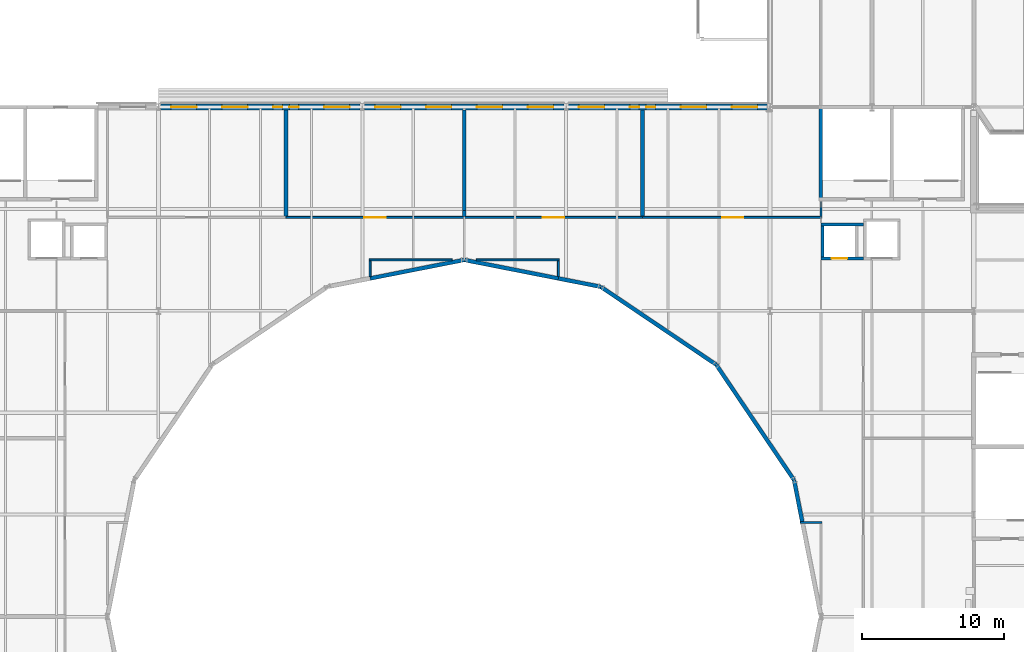
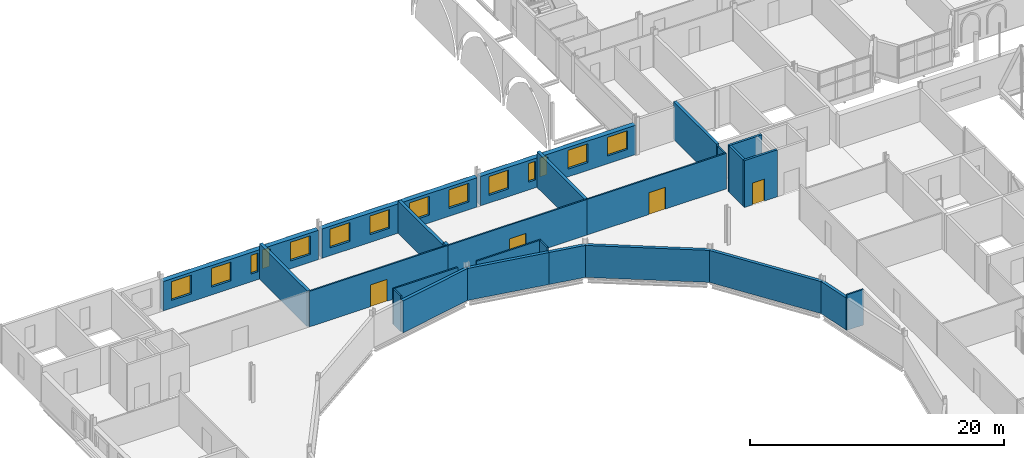
# One storey, part 95 of 142: 26 walls, 14 windows, 4 doors, 18 openings.
"""IFC4 building model written with IfcOpenShell, lengths in metres."""

from ifc_helpers import new_model, si_unit, direction, frame, frame_2d, origin, place, context, subcontext, project, spatial, rectangle, extrude, material, layer, layer_set, type_object, element, fill, save


model = new_model("IFC4")

# Units and contexts
model_context = context("Model", 3, precision=1e-05, world=origin(), true_north=direction((0.0, 1.0)))
body_context = subcontext(model_context, "Body", "Model", "MODEL_VIEW")
ifc_project = project(units=[si_unit("LENGTHUNIT", "METRE"), si_unit("AREAUNIT", "SQUARE_METRE"), si_unit("VOLUMEUNIT", "CUBIC_METRE"), si_unit("PLANEANGLEUNIT", "RADIAN"), si_unit("MASSUNIT", "GRAM", prefix="KILO")], contexts=[model_context])

# Site, building, storey
site_placement = place(None, origin())
site = spatial("IfcSite", under=ifc_project, at=site_placement, CompositionType="ELEMENT")
building_placement = place(site_placement, origin())
building = spatial("IfcBuilding", under=site, at=building_placement, Name="Kupolbacken Congress Centre", CompositionType="ELEMENT")
storey_placement = place(building_placement, frame((0.0, 0.0, 14.39990234375)))
storey = spatial("IfcBuildingStorey", under=building, at=storey_placement, Name="L04", CompositionType="ELEMENT", Elevation=14.39990234375)

# Wall, openings, windows
ifc_material_1 = material(Name="Limestone", Category="masonry")
ifc_layer_1 = layer(ifc_material_1, 0.1201171875)
ifc_material_2 = material(Name="Air cavity", Category="air")
ifc_layer_2 = layer(ifc_material_2, 0.0400390625, ventilated=True)
ifc_material_3 = material(Name="Mineral wool", Category="insulation")
ifc_layer_3 = layer(ifc_material_3, 0.159912109375)
ifc_material_4 = material(Name="Concrete block", Category="masonry")
ifc_layer_4 = layer(ifc_material_4, 0.1201171875)
ifc_layer_set_1 = layer_set([ifc_layer_1, ifc_layer_2, ifc_layer_3, ifc_layer_4], Name="Limestone / Mineral wool / Concrete block")
wall_type_1 = type_object("IfcWallType", Name="EW05 external cavity wall 440", PredefinedType="SOLIDWALL", material=ifc_layer_set_1)
wall_1_placement = place(storey_placement, frame((64.64990234375, 122.39990234375, 0.0), z_axis=(0.0, 0.0, 1.0), x_axis=(-1.0, 0.0, 0.0)))
wall_1 = element("IfcWall", 1, at=wall_1_placement, inside=storey, type_object=wall_type_1, Name="E/P/N/L04/443", PredefinedType="SOLIDWALL", context=body_context, shape_type="SweptSolid", body=[
    extrude(rectangle(XDim=14.099853515625, YDim=0.43994140625, at=frame_2d((7.0498046875, 0.0))), origin(), (0.0, 0.0, 1.0), 2.820068359375),
])
opening_1_placement = place(wall_1_placement, frame((11.550048828125, 0.0, 0.75)))
opening_1 = element("IfcOpeningElement", 2, at=opening_1_placement, cuts=wall_1, Name="Opening W7", PredefinedType="OPENING", context=body_context, shape_type="SweptSolid", body=[
    extrude(rectangle(XDim=1.800048828125, YDim=1.800048828125, at=frame_2d((0.89990234375, 0.89990234375))), frame((0.0, 0.22998046875, 0.0), z_axis=(0.0, -1.0, 0.0), x_axis=(1.0, 0.0, 0.0)), (0.0, 0.0, 1.0), 0.4599609375),
])
opening_2_placement = place(wall_1_placement, frame((7.949951171875, 0.0, 0.75)))
opening_2 = element("IfcOpeningElement", 3, at=opening_2_placement, cuts=wall_1, Name="Opening W33", PredefinedType="OPENING", context=body_context, shape_type="SweptSolid", body=[
    extrude(rectangle(XDim=0.64990234375, YDim=1.800048828125, at=frame_2d((0.324951171875, 0.89990234375))), frame((0.0, 0.22998046875, 0.0), z_axis=(0.0, -1.0, 0.0), x_axis=(1.0, 0.0, 0.0)), (0.0, 0.0, 1.0), 0.4599609375),
])
opening_3_placement = place(wall_1_placement, frame((9.10009765625, 0.0, 0.75)))
opening_3 = element("IfcOpeningElement", 4, at=opening_3_placement, cuts=wall_1, Name="Opening W33", PredefinedType="OPENING", context=body_context, shape_type="SweptSolid", body=[
    extrude(rectangle(XDim=0.64990234375, YDim=1.800048828125, at=frame_2d((0.324951171875, 0.89990234375))), frame((0.0, 0.22998046875, 0.0), z_axis=(0.0, -1.0, 0.0), x_axis=(1.0, 0.0, 0.0)), (0.0, 0.0, 1.0), 0.4599609375),
])
opening_4_placement = place(wall_1_placement, frame((4.35009765625, 0.0, 0.75)))
opening_4 = element("IfcOpeningElement", 5, at=opening_4_placement, cuts=wall_1, Name="Opening W7", PredefinedType="OPENING", context=body_context, shape_type="SweptSolid", body=[
    extrude(rectangle(XDim=1.800048828125, YDim=1.800048828125, at=frame_2d((0.89990234375, 0.89990234375))), frame((0.0, 0.22998046875, 0.0), z_axis=(0.0, -1.0, 0.0), x_axis=(1.0, 0.0, 0.0)), (0.0, 0.0, 1.0), 0.4599609375),
])
opening_5_placement = place(wall_1_placement, frame((0.75, 0.0, 0.75)))
opening_5 = element("IfcOpeningElement", 6, at=opening_5_placement, cuts=wall_1, Name="Opening W7", PredefinedType="OPENING", context=body_context, shape_type="SweptSolid", body=[
    extrude(rectangle(XDim=1.800048828125, YDim=1.800048828125, at=frame_2d((0.89990234375, 0.89990234375))), frame((0.0, 0.22998046875, 0.0), z_axis=(0.0, -1.0, 0.0), x_axis=(1.0, 0.0, 0.0)), (0.0, 0.0, 1.0), 0.4599609375),
])
ifc_material_5 = material(Name="Aluminium frame with double or triple glazing", Category="aluminium")
window_type_1 = type_object("IfcWindowType", Name="W33 window 650x1800", PartitioningType="SINGLE_PANEL", PredefinedType="WINDOW", material=ifc_material_5)
window_1_placement = place(opening_2_placement, origin())
window_1 = element("IfcWindow", 7, at=window_1_placement, inside=storey, type_object=window_type_1, Name="E/P/N/L04/443/W2", OverallHeight=1.800048828125, OverallWidth=0.64990234375, PartitioningType="SINGLE_PANEL", PredefinedType="WINDOW", context=body_context, shape_type="SweptSolid", body=[
    extrude(rectangle(XDim=0.64990234375, YDim=1.800048828125, at=frame_2d((0.324951171875, 0.89990234375))), frame((0.0, 0.030029296875, 0.0), z_axis=(0.0, -1.0, 0.0), x_axis=(1.0, 0.0, 0.0)), (0.0, 0.0, 1.0), 0.06005859375),
])
fill(opening_2, window_1)
window_2_placement = place(opening_3_placement, origin())
window_2 = element("IfcWindow", 8, at=window_2_placement, inside=storey, type_object=window_type_1, Name="E/P/N/L04/443/W3", OverallHeight=1.800048828125, OverallWidth=0.64990234375, PartitioningType="SINGLE_PANEL", PredefinedType="WINDOW", context=body_context, shape_type="SweptSolid", body=[
    extrude(rectangle(XDim=0.64990234375, YDim=1.800048828125, at=frame_2d((0.324951171875, 0.89990234375))), frame((0.0, 0.030029296875, 0.0), z_axis=(0.0, -1.0, 0.0), x_axis=(1.0, 0.0, 0.0)), (0.0, 0.0, 1.0), 0.06005859375),
])
fill(opening_3, window_2)
ifc_material_6 = material(Name="Aluminium frame with double or triple glazing", Category="aluminium")
window_type_2 = type_object("IfcWindowType", Name="W7 window 1800x1800", PartitioningType="DOUBLE_PANEL_VERTICAL", PredefinedType="WINDOW", material=ifc_material_6)
window_3_placement = place(opening_1_placement, origin())
window_3 = element("IfcWindow", 9, at=window_3_placement, inside=storey, type_object=window_type_2, Name="E/P/N/L04/443/W1", OverallHeight=1.800048828125, OverallWidth=1.800048828125, PartitioningType="SINGLE_PANEL", PredefinedType="WINDOW", context=body_context, shape_type="SweptSolid", body=[
    extrude(rectangle(XDim=1.800048828125, YDim=1.800048828125, at=frame_2d((0.89990234375, 0.89990234375))), frame((0.0, 0.030029296875, 0.0), z_axis=(0.0, -1.0, 0.0), x_axis=(1.0, 0.0, 0.0)), (0.0, 0.0, 1.0), 0.06005859375),
])
fill(opening_1, window_3)
window_4_placement = place(opening_4_placement, origin())
window_4 = element("IfcWindow", 10, at=window_4_placement, inside=storey, type_object=window_type_2, Name="E/P/N/L04/443/W4", OverallHeight=1.800048828125, OverallWidth=1.800048828125, PartitioningType="SINGLE_PANEL", PredefinedType="WINDOW", context=body_context, shape_type="SweptSolid", body=[
    extrude(rectangle(XDim=1.800048828125, YDim=1.800048828125, at=frame_2d((0.89990234375, 0.89990234375))), frame((0.0, 0.030029296875, 0.0), z_axis=(0.0, -1.0, 0.0), x_axis=(1.0, 0.0, 0.0)), (0.0, 0.0, 1.0), 0.06005859375),
])
fill(opening_4, window_4)
window_5_placement = place(opening_5_placement, origin())
window_5 = element("IfcWindow", 11, at=window_5_placement, inside=storey, type_object=window_type_2, Name="E/P/N/L04/443/W5", OverallHeight=1.800048828125, OverallWidth=1.800048828125, PartitioningType="SINGLE_PANEL", PredefinedType="WINDOW", context=body_context, shape_type="SweptSolid", body=[
    extrude(rectangle(XDim=1.800048828125, YDim=1.800048828125, at=frame_2d((0.89990234375, 0.89990234375))), frame((0.0, 0.030029296875, 0.0), z_axis=(0.0, -1.0, 0.0), x_axis=(1.0, 0.0, 0.0)), (0.0, 0.0, 1.0), 0.06005859375),
])
fill(opening_5, window_5)

wall_2_placement = place(storey_placement, frame((50.25, 122.39990234375, 0.0), z_axis=(0.0, 0.0, 1.0), x_axis=(-1.0, 0.0, 0.0)))
wall_2 = element("IfcWall", 12, at=wall_2_placement, inside=storey, type_object=wall_type_1, Name="E/P/N/L04/444", PredefinedType="SOLIDWALL", context=body_context, shape_type="SweptSolid", body=[
    extrude(rectangle(XDim=14.10009765625, YDim=0.43994140625, at=frame_2d((7.050048828125, 0.0))), origin(), (0.0, 0.0, 1.0), 2.820068359375),
])
opening_6_placement = place(wall_2_placement, frame((11.550048828125, 0.0, 0.75)))
opening_6 = element("IfcOpeningElement", 13, at=opening_6_placement, cuts=wall_2, Name="Opening W7", PredefinedType="OPENING", context=body_context, shape_type="SweptSolid", body=[
    extrude(rectangle(XDim=1.800048828125, YDim=1.800048828125, at=frame_2d((0.89990234375, 0.89990234375))), frame((0.0, 0.22998046875, 0.0), z_axis=(0.0, -1.0, 0.0), x_axis=(1.0, 0.0, 0.0)), (0.0, 0.0, 1.0), 0.4599609375),
])
opening_7_placement = place(wall_2_placement, frame((7.949951171875, 0.0, 0.75)))
opening_7 = element("IfcOpeningElement", 14, at=opening_7_placement, cuts=wall_2, Name="Opening W7", PredefinedType="OPENING", context=body_context, shape_type="SweptSolid", body=[
    extrude(rectangle(XDim=1.800048828125, YDim=1.800048828125, at=frame_2d((0.89990234375, 0.89990234375))), frame((0.0, 0.22998046875, 0.0), z_axis=(0.0, -1.0, 0.0), x_axis=(1.0, 0.0, 0.0)), (0.0, 0.0, 1.0), 0.4599609375),
])
opening_8_placement = place(wall_2_placement, frame((4.35009765625, 0.0, 0.75)))
opening_8 = element("IfcOpeningElement", 15, at=opening_8_placement, cuts=wall_2, Name="Opening W7", PredefinedType="OPENING", context=body_context, shape_type="SweptSolid", body=[
    extrude(rectangle(XDim=1.800048828125, YDim=1.800048828125, at=frame_2d((0.89990234375, 0.89990234375))), frame((0.0, 0.22998046875, 0.0), z_axis=(0.0, -1.0, 0.0), x_axis=(1.0, 0.0, 0.0)), (0.0, 0.0, 1.0), 0.4599609375),
])
opening_9_placement = place(wall_2_placement, frame((0.75, 0.0, 0.75)))
opening_9 = element("IfcOpeningElement", 16, at=opening_9_placement, cuts=wall_2, Name="Opening W7", PredefinedType="OPENING", context=body_context, shape_type="SweptSolid", body=[
    extrude(rectangle(XDim=1.800048828125, YDim=1.800048828125, at=frame_2d((0.89990234375, 0.89990234375))), frame((0.0, 0.22998046875, 0.0), z_axis=(0.0, -1.0, 0.0), x_axis=(1.0, 0.0, 0.0)), (0.0, 0.0, 1.0), 0.4599609375),
])
window_6_placement = place(opening_6_placement, origin())
window_6 = element("IfcWindow", 17, at=window_6_placement, inside=storey, type_object=window_type_2, Name="E/P/N/L04/444/W1", OverallHeight=1.800048828125, OverallWidth=1.800048828125, PartitioningType="SINGLE_PANEL", PredefinedType="WINDOW", context=body_context, shape_type="SweptSolid", body=[
    extrude(rectangle(XDim=1.800048828125, YDim=1.800048828125, at=frame_2d((0.89990234375, 0.89990234375))), frame((0.0, 0.030029296875, 0.0), z_axis=(0.0, -1.0, 0.0), x_axis=(1.0, 0.0, 0.0)), (0.0, 0.0, 1.0), 0.06005859375),
])
fill(opening_6, window_6)
window_7_placement = place(opening_7_placement, origin())
window_7 = element("IfcWindow", 18, at=window_7_placement, inside=storey, type_object=window_type_2, Name="E/P/N/L04/444/W2", OverallHeight=1.800048828125, OverallWidth=1.800048828125, PartitioningType="SINGLE_PANEL", PredefinedType="WINDOW", context=body_context, shape_type="SweptSolid", body=[
    extrude(rectangle(XDim=1.800048828125, YDim=1.800048828125, at=frame_2d((0.89990234375, 0.89990234375))), frame((0.0, 0.030029296875, 0.0), z_axis=(0.0, -1.0, 0.0), x_axis=(1.0, 0.0, 0.0)), (0.0, 0.0, 1.0), 0.06005859375),
])
fill(opening_7, window_7)
window_8_placement = place(opening_8_placement, origin())
window_8 = element("IfcWindow", 19, at=window_8_placement, inside=storey, type_object=window_type_2, Name="E/P/N/L04/444/W3", OverallHeight=1.800048828125, OverallWidth=1.800048828125, PartitioningType="SINGLE_PANEL", PredefinedType="WINDOW", context=body_context, shape_type="SweptSolid", body=[
    extrude(rectangle(XDim=1.800048828125, YDim=1.800048828125, at=frame_2d((0.89990234375, 0.89990234375))), frame((0.0, 0.030029296875, 0.0), z_axis=(0.0, -1.0, 0.0), x_axis=(1.0, 0.0, 0.0)), (0.0, 0.0, 1.0), 0.06005859375),
])
fill(opening_8, window_8)
window_9_placement = place(opening_9_placement, origin())
window_9 = element("IfcWindow", 20, at=window_9_placement, inside=storey, type_object=window_type_2, Name="E/P/N/L04/444/W4", OverallHeight=1.800048828125, OverallWidth=1.800048828125, PartitioningType="SINGLE_PANEL", PredefinedType="WINDOW", context=body_context, shape_type="SweptSolid", body=[
    extrude(rectangle(XDim=1.800048828125, YDim=1.800048828125, at=frame_2d((0.89990234375, 0.89990234375))), frame((0.0, 0.030029296875, 0.0), z_axis=(0.0, -1.0, 0.0), x_axis=(1.0, 0.0, 0.0)), (0.0, 0.0, 1.0), 0.06005859375),
])
fill(opening_9, window_9)

wall_3_placement = place(storey_placement, frame((35.85009765625, 122.39990234375, 0.0), z_axis=(0.0, 0.0, 1.0), x_axis=(-1.0, 0.0, 0.0)))
wall_3 = element("IfcWall", 21, at=wall_3_placement, inside=storey, type_object=wall_type_1, Name="E/P/N/L04/445", PredefinedType="SOLIDWALL", context=body_context, shape_type="SweptSolid", body=[
    extrude(rectangle(XDim=14.10009765625, YDim=0.43994140625, at=frame_2d((7.050048828125, 0.0))), origin(), (0.0, 0.0, 1.0), 2.820068359375),
])
opening_10_placement = place(wall_3_placement, frame((11.550048828125, 0.0, 0.75)))
opening_10 = element("IfcOpeningElement", 22, at=opening_10_placement, cuts=wall_3, Name="Opening W7", PredefinedType="OPENING", context=body_context, shape_type="SweptSolid", body=[
    extrude(rectangle(XDim=1.800048828125, YDim=1.800048828125, at=frame_2d((0.89990234375, 0.89990234375))), frame((0.0, 0.22998046875, 0.0), z_axis=(0.0, -1.0, 0.0), x_axis=(1.0, 0.0, 0.0)), (0.0, 0.0, 1.0), 0.4599609375),
])
opening_11_placement = place(wall_3_placement, frame((7.949951171875, 0.0, 0.75)))
opening_11 = element("IfcOpeningElement", 23, at=opening_11_placement, cuts=wall_3, Name="Opening W7", PredefinedType="OPENING", context=body_context, shape_type="SweptSolid", body=[
    extrude(rectangle(XDim=1.800048828125, YDim=1.800048828125, at=frame_2d((0.89990234375, 0.89990234375))), frame((0.0, 0.22998046875, 0.0), z_axis=(0.0, -1.0, 0.0), x_axis=(1.0, 0.0, 0.0)), (0.0, 0.0, 1.0), 0.4599609375),
])
opening_12_placement = place(wall_3_placement, frame((4.35009765625, 0.0, 0.75)))
opening_12 = element("IfcOpeningElement", 24, at=opening_12_placement, cuts=wall_3, Name="Opening W33", PredefinedType="OPENING", context=body_context, shape_type="SweptSolid", body=[
    extrude(rectangle(XDim=0.64990234375, YDim=1.800048828125, at=frame_2d((0.324951171875, 0.89990234375))), frame((0.0, 0.22998046875, 0.0), z_axis=(0.0, -1.0, 0.0), x_axis=(1.0, 0.0, 0.0)), (0.0, 0.0, 1.0), 0.4599609375),
])
opening_13_placement = place(wall_3_placement, frame((5.5, 0.0, 0.75)))
opening_13 = element("IfcOpeningElement", 25, at=opening_13_placement, cuts=wall_3, Name="Opening W33", PredefinedType="OPENING", context=body_context, shape_type="SweptSolid", body=[
    extrude(rectangle(XDim=0.64990234375, YDim=1.800048828125, at=frame_2d((0.324951171875, 0.89990234375))), frame((0.0, 0.22998046875, 0.0), z_axis=(0.0, -1.0, 0.0), x_axis=(1.0, 0.0, 0.0)), (0.0, 0.0, 1.0), 0.4599609375),
])
opening_14_placement = place(wall_3_placement, frame((0.75, 0.0, 0.75)))
opening_14 = element("IfcOpeningElement", 26, at=opening_14_placement, cuts=wall_3, Name="Opening W7", PredefinedType="OPENING", context=body_context, shape_type="SweptSolid", body=[
    extrude(rectangle(XDim=1.800048828125, YDim=1.800048828125, at=frame_2d((0.89990234375, 0.89990234375))), frame((0.0, 0.22998046875, 0.0), z_axis=(0.0, -1.0, 0.0), x_axis=(1.0, 0.0, 0.0)), (0.0, 0.0, 1.0), 0.4599609375),
])
window_10_placement = place(opening_12_placement, origin())
window_10 = element("IfcWindow", 27, at=window_10_placement, inside=storey, type_object=window_type_1, Name="E/P/N/L04/445/W3", OverallHeight=1.800048828125, OverallWidth=0.64990234375, PartitioningType="SINGLE_PANEL", PredefinedType="WINDOW", context=body_context, shape_type="SweptSolid", body=[
    extrude(rectangle(XDim=0.64990234375, YDim=1.800048828125, at=frame_2d((0.324951171875, 0.89990234375))), frame((0.0, 0.030029296875, 0.0), z_axis=(0.0, -1.0, 0.0), x_axis=(1.0, 0.0, 0.0)), (0.0, 0.0, 1.0), 0.06005859375),
])
fill(opening_12, window_10)
window_11_placement = place(opening_13_placement, origin())
window_11 = element("IfcWindow", 28, at=window_11_placement, inside=storey, type_object=window_type_1, Name="E/P/N/L04/445/W4", OverallHeight=1.800048828125, OverallWidth=0.64990234375, PartitioningType="SINGLE_PANEL", PredefinedType="WINDOW", context=body_context, shape_type="SweptSolid", body=[
    extrude(rectangle(XDim=0.64990234375, YDim=1.800048828125, at=frame_2d((0.324951171875, 0.89990234375))), frame((0.0, 0.030029296875, 0.0), z_axis=(0.0, -1.0, 0.0), x_axis=(1.0, 0.0, 0.0)), (0.0, 0.0, 1.0), 0.06005859375),
])
fill(opening_13, window_11)
window_12_placement = place(opening_10_placement, origin())
window_12 = element("IfcWindow", 29, at=window_12_placement, inside=storey, type_object=window_type_2, Name="E/P/N/L04/445/W1", OverallHeight=1.800048828125, OverallWidth=1.800048828125, PartitioningType="SINGLE_PANEL", PredefinedType="WINDOW", context=body_context, shape_type="SweptSolid", body=[
    extrude(rectangle(XDim=1.800048828125, YDim=1.800048828125, at=frame_2d((0.89990234375, 0.89990234375))), frame((0.0, 0.030029296875, 0.0), z_axis=(0.0, -1.0, 0.0), x_axis=(1.0, 0.0, 0.0)), (0.0, 0.0, 1.0), 0.06005859375),
])
fill(opening_10, window_12)
window_13_placement = place(opening_11_placement, origin())
window_13 = element("IfcWindow", 30, at=window_13_placement, inside=storey, type_object=window_type_2, Name="E/P/N/L04/445/W2", OverallHeight=1.800048828125, OverallWidth=1.800048828125, PartitioningType="SINGLE_PANEL", PredefinedType="WINDOW", context=body_context, shape_type="SweptSolid", body=[
    extrude(rectangle(XDim=1.800048828125, YDim=1.800048828125, at=frame_2d((0.89990234375, 0.89990234375))), frame((0.0, 0.030029296875, 0.0), z_axis=(0.0, -1.0, 0.0), x_axis=(1.0, 0.0, 0.0)), (0.0, 0.0, 1.0), 0.06005859375),
])
fill(opening_11, window_13)
window_14_placement = place(opening_14_placement, origin())
window_14 = element("IfcWindow", 31, at=window_14_placement, inside=storey, type_object=window_type_2, Name="E/P/N/L04/445/W5", OverallHeight=1.800048828125, OverallWidth=1.800048828125, PartitioningType="SINGLE_PANEL", PredefinedType="WINDOW", context=body_context, shape_type="SweptSolid", body=[
    extrude(rectangle(XDim=1.800048828125, YDim=1.800048828125, at=frame_2d((0.89990234375, 0.89990234375))), frame((0.0, 0.030029296875, 0.0), z_axis=(0.0, -1.0, 0.0), x_axis=(1.0, 0.0, 0.0)), (0.0, 0.0, 1.0), 0.06005859375),
])
fill(opening_14, window_14)

# Wall
ifc_material_7 = material(Name="Gypsum board", Category="drywall")
ifc_layer_5 = layer(ifc_material_7, 0.135009765625)
ifc_layer_set_2 = layer_set([ifc_layer_5], Name="Gypsum board")
wall_type_2 = type_object("IfcWallType", Name="P06 compartment wall 135", PredefinedType="PARTITIONING", material=ifc_layer_set_2)
wall_4_placement = place(storey_placement, frame((68.39990234375, 114.66748046875, 0.0), z_axis=(0.0, 0.0, 1.0), x_axis=(0.0, 1.0, 0.0)))
element("IfcWall", 32, at=wall_4_placement, inside=storey, type_object=wall_type_2, Name="PD/L04/W007", PredefinedType="PARTITIONING", context=body_context, shape_type="SweptSolid", body=[
    extrude(rectangle(XDim=1.047607421875, YDim=0.135009765625, at=frame_2d((0.52392578125, 0.0))), origin(), (0.0, 0.0, 1.0), 3.420166015625),
])

# Wall, opening, door
wall_5_placement = place(storey_placement, frame((43.199951171875, 114.60009765625, 0.0), z_axis=(0.0, 0.0, 1.0), x_axis=(-1.0, 0.0, 0.0)))
wall_5 = element("IfcWall", 33, at=wall_5_placement, inside=storey, type_object=wall_type_2, Name="PD/L04/W059", PredefinedType="PARTITIONING", context=body_context, shape_type="SweptSolid", body=[
    extrude(rectangle(XDim=12.599853515625, YDim=0.135009765625, at=frame_2d((6.2998046875, 0.0))), origin(), (0.0, 0.0, 1.0), 3.420166015625),
])
opening_15_placement = place(wall_5_placement, frame((5.550048828125, 0.0, 0.0)))
opening_15 = element("IfcOpeningElement", 34, at=opening_15_placement, cuts=wall_5, Name="Opening 4.P14", PredefinedType="OPENING", context=body_context, shape_type="SweptSolid", body=[
    extrude(rectangle(XDim=1.5, YDim=2.10009765625, at=frame_2d((0.75, 1.050048828125))), frame((0.0, 0.077392578125, 0.0), z_axis=(0.0, -1.0, 0.0), x_axis=(1.0, 0.0, 0.0)), (0.0, 0.0, 1.0), 0.155029296875),
])
ifc_material_8 = material(Name="Steel fire door leaf", Category="steel")
door_type_1 = type_object("IfcDoorType", Name="D12 fire door 1500x2100", OperationType="DOUBLE_DOOR_SINGLE_SWING", PredefinedType="DOOR", material=ifc_material_8)
door_1_placement = place(opening_15_placement, origin())
door_1 = element("IfcDoor", 35, at=door_1_placement, inside=storey, type_object=door_type_1, Name="PD/L04/W059/D4P14", OperationType="DOUBLE_DOOR_SINGLE_SWING", OverallHeight=2.10009765625, OverallWidth=1.5, PredefinedType="DOOR", context=body_context, shape_type="SweptSolid", body=[
    extrude(rectangle(XDim=1.5, YDim=2.10009765625, at=frame_2d((0.75, 1.050048828125))), frame((0.0, 0.02490234375, 0.0), z_axis=(0.0, -1.0, 0.0), x_axis=(1.0, 0.0, 0.0)), (0.0, 0.0, 1.0), 0.050048828125),
])
fill(opening_15, door_1)

wall_6_placement = place(storey_placement, frame((55.800048828125, 114.60009765625, 0.0), z_axis=(0.0, 0.0, 1.0), x_axis=(-1.0, 0.0, 0.0)))
wall_6 = element("IfcWall", 36, at=wall_6_placement, inside=storey, type_object=wall_type_2, Name="PD/L04/W061", PredefinedType="PARTITIONING", context=body_context, shape_type="SweptSolid", body=[
    extrude(rectangle(XDim=12.60009765625, YDim=0.135009765625, at=frame_2d((6.300048828125, 0.0))), origin(), (0.0, 0.0, 1.0), 3.420166015625),
])
opening_16_placement = place(wall_6_placement, frame((5.550048828125, 0.0, 0.0)))
opening_16 = element("IfcOpeningElement", 37, at=opening_16_placement, cuts=wall_6, Name="Opening 4.P15", PredefinedType="OPENING", context=body_context, shape_type="SweptSolid", body=[
    extrude(rectangle(XDim=1.5, YDim=2.10009765625, at=frame_2d((0.75, 1.050048828125))), frame((0.0, 0.077392578125, 0.0), z_axis=(0.0, -1.0, 0.0), x_axis=(1.0, 0.0, 0.0)), (0.0, 0.0, 1.0), 0.155029296875),
])
door_2_placement = place(opening_16_placement, origin())
door_2 = element("IfcDoor", 38, at=door_2_placement, inside=storey, type_object=door_type_1, Name="PD/L04/W061/D4P15", OperationType="DOUBLE_DOOR_SINGLE_SWING", OverallHeight=2.10009765625, OverallWidth=1.5, PredefinedType="DOOR", context=body_context, shape_type="SweptSolid", body=[
    extrude(rectangle(XDim=1.5, YDim=2.10009765625, at=frame_2d((0.75, 1.050048828125))), frame((0.0, 0.02490234375, 0.0), z_axis=(0.0, -1.0, 0.0), x_axis=(1.0, 0.0, 0.0)), (0.0, 0.0, 1.0), 0.050048828125),
])
fill(opening_16, door_2)

wall_7_placement = place(storey_placement, frame((68.467529296875, 114.60009765625, 0.0), z_axis=(0.0, 0.0, 1.0), x_axis=(-1.0, 0.0, 0.0)))
wall_7 = element("IfcWall", 39, at=wall_7_placement, inside=storey, type_object=wall_type_2, Name="PD/L04/W062", PredefinedType="PARTITIONING", context=body_context, shape_type="SweptSolid", body=[
    extrude(rectangle(XDim=12.66748046875, YDim=0.135009765625, at=frame_2d((6.333740234375, 0.0))), origin(), (0.0, 0.0, 1.0), 3.420166015625),
])
opening_17_placement = place(wall_7_placement, frame((5.550048828125, 0.0, 0.0)))
opening_17 = element("IfcOpeningElement", 40, at=opening_17_placement, cuts=wall_7, Name="Opening 4.P16", PredefinedType="OPENING", context=body_context, shape_type="SweptSolid", body=[
    extrude(rectangle(XDim=1.5, YDim=2.10009765625, at=frame_2d((0.75, 1.050048828125))), frame((0.0, 0.077392578125, 0.0), z_axis=(0.0, -1.0, 0.0), x_axis=(1.0, 0.0, 0.0)), (0.0, 0.0, 1.0), 0.155029296875),
])
door_3_placement = place(opening_17_placement, origin())
door_3 = element("IfcDoor", 41, at=door_3_placement, inside=storey, type_object=door_type_1, Name="PD/L04/W062/D4P16", OperationType="DOUBLE_DOOR_SINGLE_SWING", OverallHeight=2.10009765625, OverallWidth=1.5, PredefinedType="DOOR", context=body_context, shape_type="SweptSolid", body=[
    extrude(rectangle(XDim=1.5, YDim=2.10009765625, at=frame_2d((0.75, 1.050048828125))), frame((0.0, 0.02490234375, 0.0), z_axis=(0.0, -1.0, 0.0), x_axis=(1.0, 0.0, 0.0)), (0.0, 0.0, 1.0), 0.050048828125),
])
fill(opening_17, door_3)

# Walls
wall_8_placement = place(storey_placement, frame((42.35009765625, 111.60009765625, 0.0), z_axis=(0.0, 0.0, 1.0), x_axis=(-1.0, 0.0, 0.0)))
element("IfcWall", 42, at=wall_8_placement, inside=storey, type_object=wall_type_2, Name="PD/L04/W064", PredefinedType="PARTITIONING", context=body_context, shape_type="SweptSolid", body=[
    extrude(rectangle(XDim=5.86767578125, YDim=0.135009765625, at=frame_2d((2.933837890625, 0.0))), origin(), (0.0, 0.0, 1.0), 3.420166015625),
])
wall_9_placement = place(storey_placement, frame((49.91748046875, 111.60009765625, 0.0), z_axis=(0.0, 0.0, 1.0), x_axis=(-1.0, 0.0, 0.0)))
element("IfcWall", 43, at=wall_9_placement, inside=storey, type_object=wall_type_2, Name="PD/L04/W065", PredefinedType="PARTITIONING", context=body_context, shape_type="SweptSolid", body=[
    extrude(rectangle(XDim=5.867431640625, YDim=0.135009765625, at=frame_2d((2.93359375, 0.0))), origin(), (0.0, 0.0, 1.0), 3.420166015625),
])
wall_10_placement = place(storey_placement, frame((36.550048828125, 111.532470703125, 0.0), z_axis=(0.0, 0.0, 1.0), x_axis=(0.0, -1.0, 0.0)))
element("IfcWall", 44, at=wall_10_placement, inside=storey, type_object=wall_type_2, Name="PD/L04/W084", PredefinedType="PARTITIONING", context=body_context, shape_type="SweptSolid", body=[
    extrude(rectangle(XDim=1.104248046875, YDim=0.135009765625, at=frame_2d((0.55224609375, 0.0))), origin(), (0.0, 0.0, 1.0), 3.420166015625),
])
wall_11_placement = place(storey_placement, frame((68.467529296875, 93.050048828125, 0.0), z_axis=(0.0, 0.0, 1.0), x_axis=(-1.0, 0.0, 0.0)))
element("IfcWall", 45, at=wall_11_placement, inside=storey, type_object=wall_type_2, Name="PD/L04/W092", PredefinedType="PARTITIONING", context=body_context, shape_type="SweptSolid", body=[
    extrude(rectangle(XDim=1.514404296875, YDim=0.135009765625, at=frame_2d((0.75732421875, 0.0))), origin(), (0.0, 0.0, 1.0), 3.420166015625),
])
wall_12_placement = place(storey_placement, frame((49.85009765625, 110.42822265625, 0.0), z_axis=(0.0, 0.0, 1.0), x_axis=(0.0, 1.0, 0.0)))
element("IfcWall", 46, at=wall_12_placement, inside=storey, type_object=wall_type_2, Name="PD/L04/W093", PredefinedType="PARTITIONING", context=body_context, shape_type="SweptSolid", body=[
    extrude(rectangle(XDim=1.104248046875, YDim=0.135009765625, at=frame_2d((0.55224609375, 0.0))), origin(), (0.0, 0.0, 1.0), 3.420166015625),
])
ifc_material_9 = material(Name="Gypsum board", Category="drywall")
ifc_layer_6 = layer(ifc_material_9, 0.27490234375)
ifc_layer_set_3 = layer_set([ifc_layer_6], Name="Gypsum board")
wall_type_3 = type_object("IfcWallType", Name="P12 partition 275", PredefinedType="PARTITIONING", material=ifc_layer_set_3)
wall_13_placement = place(storey_placement, frame((30.60009765625, 122.179931640625, 0.0), z_axis=(0.0, 0.0, 1.0), x_axis=(0.0, -1.0, 0.0)))
element("IfcWall", 47, at=wall_13_placement, inside=storey, type_object=wall_type_3, Name="PD/L04/W056", PredefinedType="PARTITIONING", context=body_context, shape_type="SweptSolid", body=[
    extrude(rectangle(XDim=7.512451171875, YDim=0.27490234375, at=frame_2d((3.75634765625, 0.0))), origin(), (0.0, 0.0, 1.0), 3.420166015625),
])
wall_14_placement = place(storey_placement, frame((43.199951171875, 122.179931640625, 0.0), z_axis=(0.0, 0.0, 1.0), x_axis=(0.0, -1.0, 0.0)))
element("IfcWall", 48, at=wall_14_placement, inside=storey, type_object=wall_type_3, Name="PD/L04/W058", PredefinedType="PARTITIONING", context=body_context, shape_type="SweptSolid", body=[
    extrude(rectangle(XDim=7.08984375, YDim=0.27490234375, at=frame_2d((3.544921875, 0.0))), origin(), (0.0, 0.0, 1.0), 3.1201171875),
])
wall_15_placement = place(storey_placement, frame((55.800048828125, 122.179931640625, 0.0), z_axis=(0.0, 0.0, 1.0), x_axis=(0.0, -1.0, 0.0)))
element("IfcWall", 49, at=wall_15_placement, inside=storey, type_object=wall_type_3, Name="PD/L04/W060", PredefinedType="PARTITIONING", context=body_context, shape_type="SweptSolid", body=[
    extrude(rectangle(XDim=7.512451171875, YDim=0.27490234375, at=frame_2d((3.75634765625, 0.0))), origin(), (0.0, 0.0, 1.0), 3.420166015625),
])
wall_16_placement = place(storey_placement, frame((43.199951171875, 111.60009765625, 0.0), z_axis=(0.0, 0.0, 1.0), x_axis=(-0.981162344826, -0.193185022957, 0.0)))
element("IfcWall", 50, at=wall_16_placement, inside=storey, type_object=wall_type_3, Name="PD/L04/W090", PredefinedType="PARTITIONING", context=body_context, shape_type="SweptSolid", body=[
    extrude(rectangle(XDim=6.777587890625, YDim=0.27490234375, at=frame_2d((3.388671875, 0.0))), origin(), (0.0, 0.0, 1.0), 3.070068359375),
])
wall_17_placement = place(storey_placement, frame((61.0, 104.199951171875, 0.0), z_axis=(0.0, 0.0, 1.0), x_axis=(-0.828904515443, 0.559390118145, 0.0)))
element("IfcWall", 51, at=wall_17_placement, inside=storey, type_object=wall_type_3, Name="PD/L04/W094", PredefinedType="PARTITIONING", context=body_context, shape_type="SweptSolid", body=[
    extrude(rectangle(XDim=9.83203125, YDim=0.27490234375, at=frame_2d((4.916015625, 0.0))), origin(), (0.0, 0.0, 1.0), 3.070068359375),
])
wall_18_placement = place(storey_placement, frame((52.85009765625, 109.699951171875, 0.0), z_axis=(0.0, 0.0, 1.0), x_axis=(-0.981153778086, 0.19322852726, 0.0)))
element("IfcWall", 52, at=wall_18_placement, inside=storey, type_object=wall_type_3, Name="PD/L04/W095", PredefinedType="PARTITIONING", context=body_context, shape_type="SweptSolid", body=[
    extrude(rectangle(XDim=3.0576171875, YDim=0.27490234375, at=frame_2d((1.52880859375, 0.0))), origin(), (0.0, 0.0, 1.0), 3.070068359375),
])
wall_19_placement = place(storey_placement, frame((67.07763671875, 93.1162109375, 0.0), z_axis=(0.0, 0.0, 1.0), x_axis=(-0.193179069745, 0.98116351696, 0.0)))
element("IfcWall", 53, at=wall_19_placement, inside=storey, type_object=wall_type_3, Name="PD/L04/W096", PredefinedType="PARTITIONING", context=body_context, shape_type="SweptSolid", body=[
    extrude(rectangle(XDim=2.990234375, YDim=0.27490234375, at=frame_2d((1.4951171875, 0.0))), origin(), (0.0, 0.0, 1.0), 3.070068359375),
])
wall_20_placement = place(storey_placement, frame((66.5, 96.050048828125, 0.0), z_axis=(0.0, 0.0, 1.0), x_axis=(-0.559390118145, 0.828904515443, 0.0)))
element("IfcWall", 54, at=wall_20_placement, inside=storey, type_object=wall_type_3, Name="PD/L04/W097", PredefinedType="PARTITIONING", context=body_context, shape_type="SweptSolid", body=[
    extrude(rectangle(XDim=9.83203125, YDim=0.27490234375, at=frame_2d((4.916015625, 0.0))), origin(), (0.0, 0.0, 1.0), 3.070068359375),
])
wall_21_placement = place(storey_placement, frame((49.85009765625, 110.290771484375, 0.0), z_axis=(0.0, 0.0, 1.0), x_axis=(-0.981163689106, 0.193178195406, 0.0)))
element("IfcWall", 55, at=wall_21_placement, inside=storey, type_object=wall_type_3, Name="PD/L04/W099", PredefinedType="PARTITIONING", context=body_context, shape_type="SweptSolid", body=[
    extrude(rectangle(XDim=6.77783203125, YDim=0.27490234375, at=frame_2d((3.388916015625, 0.0))), origin(), (0.0, 0.0, 1.0), 3.070068359375),
])
wall_22_placement = place(storey_placement, frame((43.199951171875, 115.090087890625, 0.0), z_axis=(0.0, 0.0, 1.0), x_axis=(0.0, -1.0, 0.0)))
element("IfcWall", 56, at=wall_22_placement, inside=storey, type_object=wall_type_3, Name="PD/L04/W058.h1", PredefinedType="PARTITIONING", context=body_context, shape_type="SweptSolid", body=[
    extrude(rectangle(XDim=0.422607421875, YDim=0.27490234375, at=frame_2d((0.21142578125, 0.0))), origin(), (0.0, 0.0, 1.0), 3.420166015625),
])

# Wall, opening, door
ifc_material_10 = material(Name="Concrete C40/50", Category="concrete")
ifc_layer_7 = layer(ifc_material_10, 0.199951171875)
ifc_layer_set_4 = layer_set([ifc_layer_7], Name="Concrete C40/50")
wall_type_4 = type_object("IfcWallType", Name="WC1 RC shaft wall 200", PredefinedType="SHEAR", material=ifc_layer_set_4)
wall_23_placement = place(storey_placement, frame((68.39990234375, 111.699951171875, 0.0), z_axis=(0.0, 0.0, 1.0), x_axis=(1.0, 0.0, 0.0)))
wall_23 = element("IfcWall", 57, at=wall_23_placement, inside=storey, type_object=wall_type_4, Name="Shaft wall LP8", PredefinedType="SHEAR", context=body_context, shape_type="SweptSolid", body=[
    extrude(rectangle(XDim=3.0, YDim=0.199951171875, at=frame_2d((1.5, 0.0))), origin(), (0.0, 0.0, 1.0), 4.5),
])
opening_18_placement = place(wall_23_placement, frame((0.75, 0.0, 0.0)))
opening_18 = element("IfcOpeningElement", 58, at=opening_18_placement, cuts=wall_23, Name="Opening LD2", PredefinedType="OPENING", context=body_context, shape_type="SweptSolid", body=[
    extrude(rectangle(XDim=1.10009765625, YDim=2.10009765625, at=frame_2d((0.550048828125, 1.050048828125))), frame((0.0, 0.10986328125, 0.0), z_axis=(0.0, -1.0, 0.0), x_axis=(1.0, 0.0, 0.0)), (0.0, 0.0, 1.0), 0.219970703125),
])
ifc_material_11 = material(Name="Stainless steel door leaf", Category="steel")
door_type_2 = type_object("IfcDoorType", Name="LD2 lift landing door 1100x2100", OperationType="SLIDING_TO_LEFT", PredefinedType="DOOR", material=ifc_material_11)
door_4_placement = place(opening_18_placement, origin())
door_4 = element("IfcDoor", 59, at=door_4_placement, inside=storey, type_object=door_type_2, Name="Lift landing door LP8", OperationType="SLIDING_TO_LEFT", OverallHeight=2.10009765625, OverallWidth=1.10009765625, PredefinedType="DOOR", context=body_context, shape_type="SweptSolid", body=[
    extrude(rectangle(XDim=1.10009765625, YDim=2.10009765625, at=frame_2d((0.550048828125, 1.050048828125))), frame((0.0, 0.02490234375, 0.0), z_axis=(0.0, -1.0, 0.0), x_axis=(1.0, 0.0, 0.0)), (0.0, 0.0, 1.0), 0.050048828125),
])
fill(opening_18, door_4)

# Walls
wall_24_placement = place(storey_placement, frame((68.39990234375, 114.10009765625, 0.0), z_axis=(0.0, 0.0, 1.0), x_axis=(1.0, 0.0, 0.0)))
element("IfcWall", 60, at=wall_24_placement, inside=storey, type_object=wall_type_4, Name="Shaft wall LP8", PredefinedType="SHEAR", context=body_context, shape_type="SweptSolid", body=[
    extrude(rectangle(XDim=3.0, YDim=0.199951171875, at=frame_2d((1.5, 0.0))), origin(), (0.0, 0.0, 1.0), 4.5),
])
wall_25_placement = place(storey_placement, frame((68.5, 111.800048828125, 0.0), z_axis=(0.0, 0.0, 1.0), x_axis=(0.0, 1.0, 0.0)))
element("IfcWall", 61, at=wall_25_placement, inside=storey, type_object=wall_type_4, Name="Shaft wall LP8", PredefinedType="SHEAR", context=body_context, shape_type="SweptSolid", body=[
    extrude(rectangle(XDim=2.199951171875, YDim=0.199951171875, at=frame_2d((1.10009765625, 0.0))), origin(), (0.0, 0.0, 1.0), 4.5),
])
ifc_material_12 = material(Name="Concrete C40/50", Category="concrete")
ifc_layer_8 = layer(ifc_material_12, 0.25)
ifc_layer_set_5 = layer_set([ifc_layer_8], Name="Concrete C40/50")
wall_type_5 = type_object("IfcWallType", Name="WC2 RC stair enclosure wall 250", PredefinedType="SHEAR", material=ifc_layer_set_5)
wall_26_placement = place(storey_placement, frame((68.39990234375, 122.52490234375, 0.0), z_axis=(0.0, 0.0, 1.0), x_axis=(0.0, -1.0, 0.0)))
element("IfcWall", 62, at=wall_26_placement, inside=storey, type_object=wall_type_5, Name="Stair enclosure wall L04-075", PredefinedType="SHEAR", context=body_context, shape_type="SweptSolid", body=[
    extrude(rectangle(XDim=6.75, YDim=0.25, at=frame_2d((3.375, 0.0))), origin(), (0.0, 0.0, 1.0), 3.60009765625),
])

save(model, "model.ifc")
